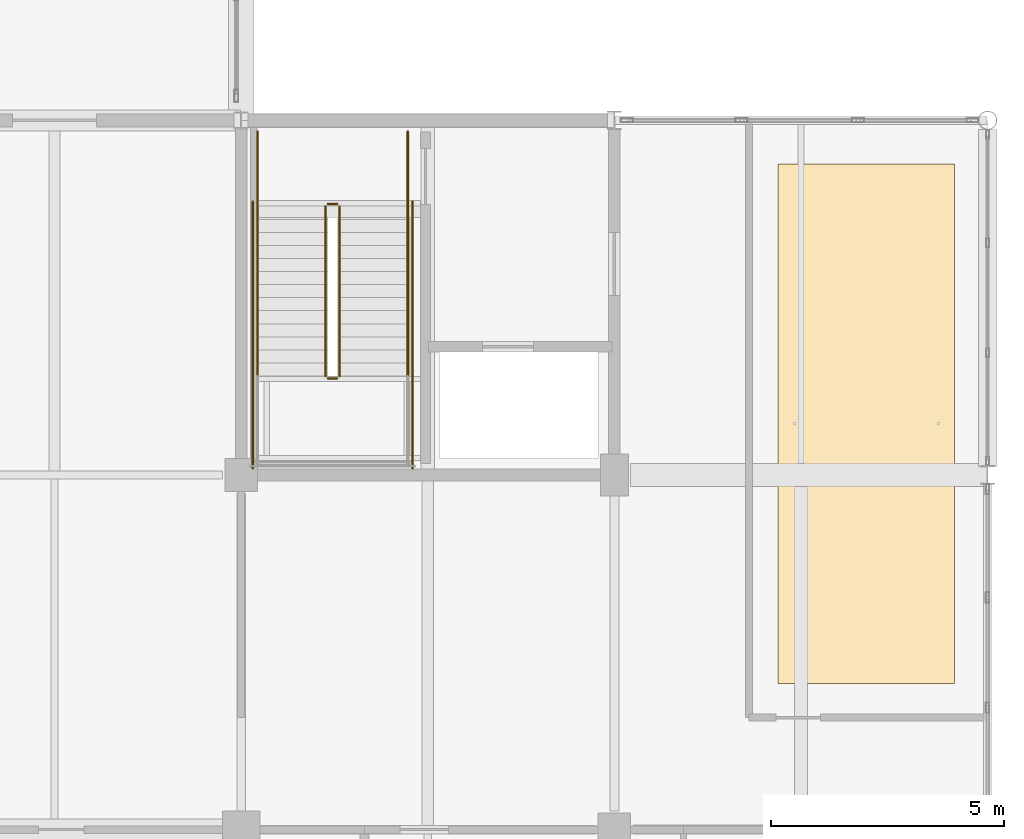
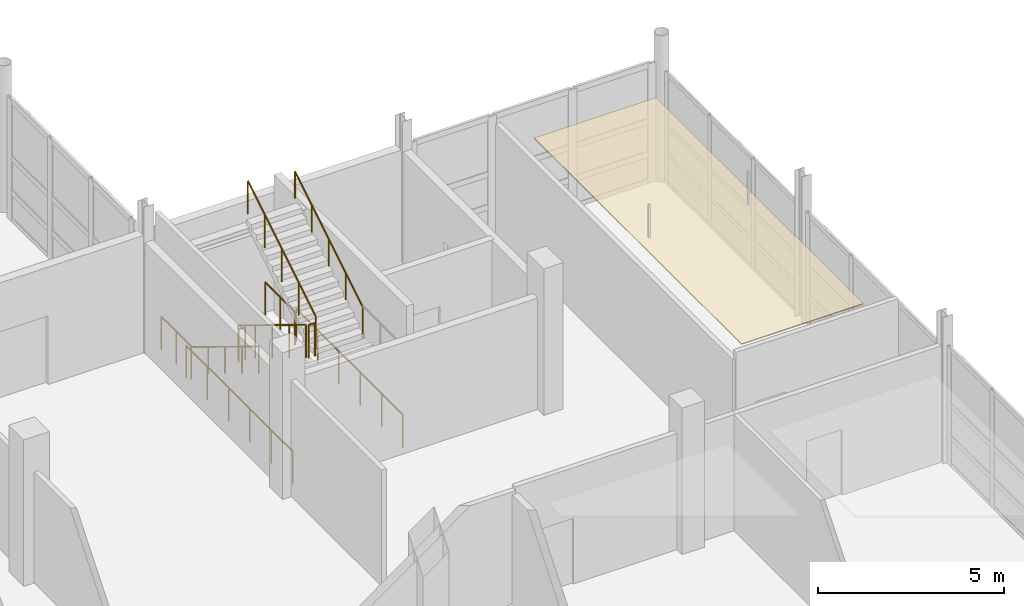
# One storey, part 144 of 147: 10 railings, 1 covering.
"""IFC4 building model written with IfcOpenShell, lengths in metres."""

from ifc_helpers import new_model, si_unit, direction, frame, origin, origin_2d, place, context, subcontext, project, spatial, polyline, circle, outline, extrude, material, layer, layer_set, type_object, element, save


model = new_model("IFC4")

# Units and contexts
model_context = context("Model", 3, precision=1e-05, world=origin(), true_north=direction((0.0, 1.0)))
body_context = subcontext(model_context, "Body", "Model", "MODEL_VIEW")
ifc_project = project(units=[si_unit("LENGTHUNIT", "METRE"), si_unit("AREAUNIT", "SQUARE_METRE"), si_unit("VOLUMEUNIT", "CUBIC_METRE"), si_unit("PLANEANGLEUNIT", "RADIAN"), si_unit("MASSUNIT", "GRAM", prefix="KILO")], contexts=[model_context])

# Site, building, storey
site_placement = place(None, origin())
site = spatial("IfcSite", under=ifc_project, at=site_placement, CompositionType="ELEMENT")
building_placement = place(site_placement, origin())
building = spatial("IfcBuilding", under=site, at=building_placement, Name="Khelvaren Railside Concert Hall", CompositionType="ELEMENT")
storey_placement = place(building_placement, frame((0.0, 0.0, 5.39990234375)))
storey = spatial("IfcBuildingStorey", under=building, at=storey_placement, Name="L01", CompositionType="ELEMENT", Elevation=5.39990234375)

# Covering
ifc_material_1 = material(Name="Micro-perforated timber acoustic ceiling", Category="wood")
ifc_layer = layer(ifc_material_1, 0.030029296875)
ifc_layer_set = layer_set([ifc_layer], Name="Micro-perforated timber acoustic ceiling")
covering_type = type_object("IfcCoveringType", Name="CLG77", PredefinedType="CEILING", material=ifc_layer_set)
covering_placement = place(storey_placement, frame((0.0, 0.0, 3.420166015625)))
element("IfcCovering", 1, at=covering_placement, inside=storey, type_object=covering_type, Name="Suspended Acoustic Ceiling Sound Archive Server Room L01", PredefinedType="CEILING", context=body_context, shape_type="SweptSolid", body=[
    extrude(outline(polyline([(179.510009765625, 25.929931640625), (183.2900390625, 25.929931640625), (183.2900390625, 37.070068359375), (179.510009765625, 37.070068359375), (179.510009765625, 25.929931640625)])), origin(), (0.0, 0.0, 1.0), 0.030029296875),
])

# Railings
ifc_material_2 = material(Name="Painted architectural steel", Category="steel")
railing_type_1 = type_object("IfcRailingType", Name="GRD86", PredefinedType="GUARDRAIL", material=ifc_material_2)
railing_1_placement = place(storey_placement, frame((169.81005859375, 36.159912109375, 0.171630859375)))
element("IfcRailing", 2, at=railing_1_placement, inside=storey, type_object=railing_type_1, Name="L01 ST-04 stair guard 1", PredefinedType="GUARDRAIL", context=body_context, shape_type="SweptSolid", body=[
    extrude(circle(Radius=0.02392578125, at=origin_2d()), frame((0.0, 0.0, 1.076171875), z_axis=(0.0, -0.852850264322, 0.5221555579), x_axis=(1.0, 0.0, 0.0)), (0.0, 0.0, 1.0), 4.267822265625),
    extrude(circle(Radius=0.02099609375, at=origin_2d()), origin(), (0.0, 0.0, 1.0), 1.052001953125),
    extrude(circle(Radius=0.02099609375, at=origin_2d()), frame((0.0, -0.909912109375, 0.55712890625)), (0.0, 0.0, 1.0), 1.052001953125),
    extrude(circle(Radius=0.02099609375, at=origin_2d()), frame((0.0, -1.81982421875, 1.1142578125)), (0.0, 0.0, 1.0), 1.052001953125),
    extrude(circle(Radius=0.02099609375, at=origin_2d()), frame((0.0, -2.72998046875, 1.67138671875)), (0.0, 0.0, 1.0), 1.052001953125),
    extrude(circle(Radius=0.02099609375, at=origin_2d()), frame((0.0, -3.639892578125, 2.228515625)), (0.0, 0.0, 1.0), 1.052001953125),
])
railing_2_placement = place(storey_placement, frame((169.860107421875, 32.469970703125, 2.400146484375)))
element("IfcRailing", 3, at=railing_2_placement, inside=storey, type_object=railing_type_1, Name="L01 ST-04 stair guard 2", PredefinedType="GUARDRAIL", context=body_context, shape_type="SweptSolid", body=[
    extrude(circle(Radius=0.02392578125, at=origin_2d()), frame((0.0, 0.0, 1.076171875), z_axis=(1.0, 0.0, 0.0), x_axis=(0.0, 1.0, 0.0)), (0.0, 0.0, 1.0), 0.199951171875),
    extrude(circle(Radius=0.02099609375, at=origin_2d()), origin(), (0.0, 0.0, 1.0), 1.052001953125),
    extrude(circle(Radius=0.02099609375, at=origin_2d()), frame((0.199951171875, 0.0, 0.0)), (0.0, 0.0, 1.0), 1.052001953125),
])
railing_3_placement = place(storey_placement, frame((170.110107421875, 32.52001953125, 2.571533203125)))
element("IfcRailing", 4, at=railing_3_placement, inside=storey, type_object=railing_type_1, Name="L01 ST-04 stair guard 6", PredefinedType="GUARDRAIL", context=body_context, shape_type="SweptSolid", body=[
    extrude(circle(Radius=0.02392578125, at=origin_2d()), frame((0.0, 0.0, 1.076171875), z_axis=(0.0, 0.852850264322, 0.5221555579), x_axis=(-1.0, 0.0, 0.0)), (0.0, 0.0, 1.0), 4.267822265625),
    extrude(circle(Radius=0.02099609375, at=origin_2d()), origin(), (0.0, 0.0, 1.0), 1.052001953125),
    extrude(circle(Radius=0.02099609375, at=origin_2d()), frame((0.0, 0.909912109375, 0.55712890625)), (0.0, 0.0, 1.0), 1.052001953125),
    extrude(circle(Radius=0.02099609375, at=origin_2d()), frame((0.0, 1.81982421875, 1.1142578125)), (0.0, 0.0, 1.0), 1.052001953125),
    extrude(circle(Radius=0.02099609375, at=origin_2d()), frame((0.0, 2.72998046875, 1.67138671875)), (0.0, 0.0, 1.0), 1.052001953125),
    extrude(circle(Radius=0.02099609375, at=origin_2d()), frame((0.0, 3.639892578125, 2.228515625)), (0.0, 0.0, 1.0), 1.052001953125),
])
railing_4_placement = place(storey_placement, frame((169.860107421875, 36.2099609375, 0.0)))
element("IfcRailing", 5, at=railing_4_placement, inside=storey, type_object=railing_type_1, Name="L01 ST-04 stair guard 7", PredefinedType="GUARDRAIL", context=body_context, shape_type="SweptSolid", body=[
    extrude(circle(Radius=0.02392578125, at=origin_2d()), frame((0.0, 0.0, 1.076171875), z_axis=(1.0, 0.0, 0.0), x_axis=(0.0, 1.0, 0.0)), (0.0, 0.0, 1.0), 0.199951171875),
    extrude(circle(Radius=0.02099609375, at=origin_2d()), origin(), (0.0, 0.0, 1.0), 1.052001953125),
    extrude(circle(Radius=0.02099609375, at=origin_2d()), frame((0.199951171875, 0.0, 0.0)), (0.0, 0.0, 1.0), 1.052001953125),
])
for number, where, name in (
    (6, (168.35009765625, 37.760009765625, 0.0), "L01 ST-04 stair guard 8"),
    (7, (171.570068359375, 37.760009765625, 0.0), "L01 ST-04 stair guard 9"),
):
    element("IfcRailing", number, at=place(storey_placement, frame(where)), inside=storey, type_object=railing_type_1, Name=name, PredefinedType="GUARDRAIL", context=body_context, shape_type="SweptSolid", body=[
        extrude(circle(Radius=0.02392578125, at=origin_2d()), frame((0.0, 0.0, 1.076171875), z_axis=(0.0, -1.0, 0.0), x_axis=(1.0, 0.0, 0.0)), (0.0, 0.0, 1.0), 1.60009765625),
        extrude(circle(Radius=0.02099609375, at=origin_2d()), origin(), (0.0, 0.0, 1.0), 1.052001953125),
        extrude(circle(Radius=0.02099609375, at=origin_2d()), frame((0.0, -0.800048828125, 0.0)), (0.0, 0.0, 1.0), 1.052001953125),
        extrude(circle(Radius=0.02099609375, at=origin_2d()), frame((0.0, -1.60009765625, 0.0)), (0.0, 0.0, 1.0), 1.052001953125),
    ])
for number, where, name in (
    (8, (168.25, 36.260009765625, 0.0), "L01 ST-04 stair guard 10"),
    (9, (171.669921875, 36.260009765625, 0.0), "L01 ST-04 stair guard 11"),
):
    element("IfcRailing", number, at=place(storey_placement, frame(where)), inside=storey, type_object=railing_type_1, Name=name, PredefinedType="GUARDRAIL", context=body_context, shape_type="SweptSolid", body=[
        extrude(circle(Radius=0.02392578125, at=origin_2d()), frame((0.0, 0.0, 1.076171875), z_axis=(0.0, -1.0, 0.0), x_axis=(1.0, 0.0, 0.0)), (0.0, 0.0, 1.0), 5.719970703125),
        extrude(circle(Radius=0.02099609375, at=origin_2d()), origin(), (0.0, 0.0, 1.0), 1.052001953125),
        extrude(circle(Radius=0.02099609375, at=origin_2d()), frame((0.0, -1.14404296875, 0.0)), (0.0, 0.0, 1.0), 1.052001953125),
        extrude(circle(Radius=0.02099609375, at=origin_2d()), frame((0.0, -2.2880859375, 0.0)), (0.0, 0.0, 1.0), 1.052001953125),
        extrude(circle(Radius=0.02099609375, at=origin_2d()), frame((0.0, -3.431884765625, 0.0)), (0.0, 0.0, 1.0), 1.052001953125),
        extrude(circle(Radius=0.02099609375, at=origin_2d()), frame((0.0, -4.575927734375, 0.0)), (0.0, 0.0, 1.0), 1.052001953125),
        extrude(circle(Radius=0.02099609375, at=origin_2d()), frame((0.0, -5.719970703125, 0.0)), (0.0, 0.0, 1.0), 1.052001953125),
    ])
ifc_material_3 = material(Name="Brushed stainless steel Grade 316", Category="steel")
railing_type_2 = type_object("IfcRailingType", Name="HRL59", PredefinedType="HANDRAIL", material=ifc_material_3)
railing_5_placement = place(storey_placement, frame((168.35009765625, 36.159912109375, 0.171630859375)))
element("IfcRailing", 10, at=railing_5_placement, inside=storey, type_object=railing_type_2, Name="L01 ST-04 stair handrail 1", PredefinedType="HANDRAIL", context=body_context, shape_type="SweptSolid", body=[
    extrude(circle(Radius=0.02392578125, at=origin_2d()), frame((0.0, 0.0, 0.8759765625), z_axis=(0.0, -0.852850264322, 0.5221555579), x_axis=(1.0, 0.0, 0.0)), (0.0, 0.0, 1.0), 4.267822265625),
    extrude(circle(Radius=0.02099609375, at=origin_2d()), origin(), (0.0, 0.0, 1.0), 0.851806640625),
    extrude(circle(Radius=0.02099609375, at=origin_2d()), frame((0.0, -0.909912109375, 0.55712890625)), (0.0, 0.0, 1.0), 0.851806640625),
    extrude(circle(Radius=0.02099609375, at=origin_2d()), frame((0.0, -1.81982421875, 1.1142578125)), (0.0, 0.0, 1.0), 0.851806640625),
    extrude(circle(Radius=0.02099609375, at=origin_2d()), frame((0.0, -2.72998046875, 1.67138671875)), (0.0, 0.0, 1.0), 0.851806640625),
    extrude(circle(Radius=0.02099609375, at=origin_2d()), frame((0.0, -3.639892578125, 2.228515625)), (0.0, 0.0, 1.0), 0.851806640625),
])
railing_6_placement = place(storey_placement, frame((171.570068359375, 32.52001953125, 2.571533203125)))
element("IfcRailing", 11, at=railing_6_placement, inside=storey, type_object=railing_type_2, Name="L01 ST-04 stair handrail 2", PredefinedType="HANDRAIL", context=body_context, shape_type="SweptSolid", body=[
    extrude(circle(Radius=0.02392578125, at=origin_2d()), frame((0.0, 0.0, 0.8759765625), z_axis=(0.0, 0.852850264322, 0.5221555579), x_axis=(-1.0, 0.0, 0.0)), (0.0, 0.0, 1.0), 4.267822265625),
    extrude(circle(Radius=0.02099609375, at=origin_2d()), origin(), (0.0, 0.0, 1.0), 0.851806640625),
    extrude(circle(Radius=0.02099609375, at=origin_2d()), frame((0.0, 0.909912109375, 0.55712890625)), (0.0, 0.0, 1.0), 0.851806640625),
    extrude(circle(Radius=0.02099609375, at=origin_2d()), frame((0.0, 1.81982421875, 1.1142578125)), (0.0, 0.0, 1.0), 0.851806640625),
    extrude(circle(Radius=0.02099609375, at=origin_2d()), frame((0.0, 2.72998046875, 1.67138671875)), (0.0, 0.0, 1.0), 0.851806640625),
    extrude(circle(Radius=0.02099609375, at=origin_2d()), frame((0.0, 3.639892578125, 2.228515625)), (0.0, 0.0, 1.0), 0.851806640625),
])

save(model, "model.ifc")
